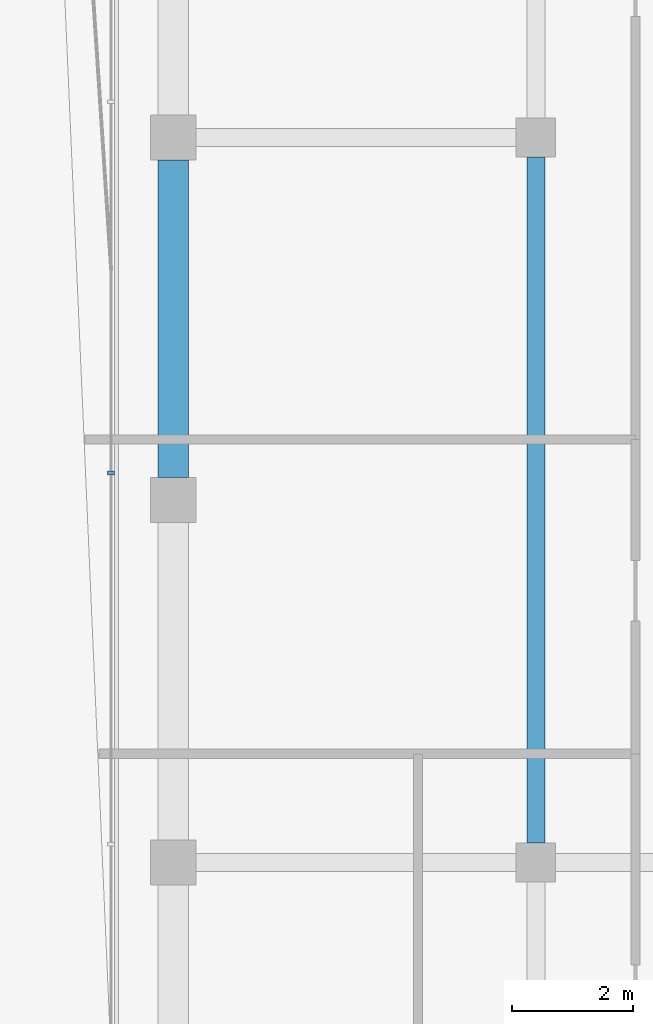
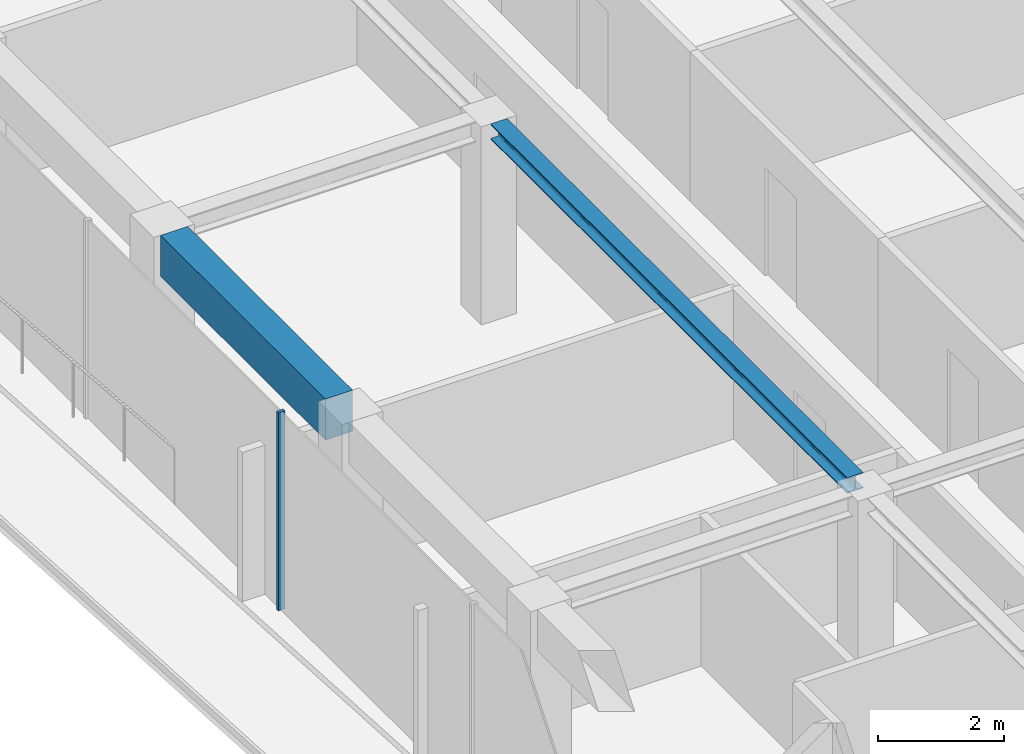
# One storey, part 8 of 20: 2 beams, 1 member, 1 element without a shape of its own.
"""IFC4 building model written with IfcOpenShell, lengths in metres."""

import ifcopenshell
import ifcopenshell.guid

model = None  # the IFC model being written
_history = None  # IfcOwnerHistory: only IFC2X3 demands one
_inside = {}  # id of a spatial element -> (the spatial element, [elements in it])
_under = {}  # id of a project, library or spatial element -> (it, [spatial elements below it])
_declared = {}  # id of a project -> (the project, [libraries it declares])
_typed = {}  # id of a type object -> (the type object, [elements of that type])
_made_of = {}  # id of a material, layer set ... -> (it, [elements and type objects made of it])


def new_model(schema):
    """Start an empty IFC model of exactly this schema.

    Asked for "IFC4X3", IfcOpenShell would pick the latest addendum, in which some entities
    have other attributes; the version numbers below select the first issue.
    IFC2X3 requires an IfcOwnerHistory on every rooted entity: one is made here for all.
    """
    global model, _history
    if schema == "IFC4X3":
        model = ifcopenshell.file(schema_version=(4, 3, 0, 0))
    else:
        model = ifcopenshell.file(schema=schema)
    _inside.clear()
    _under.clear()
    _declared.clear()
    _typed.clear()
    _made_of.clear()
    _history = None
    if model.schema == "IFC2X3":
        org = make("IfcOrganization", Name="unknown")
        user = make(
            "IfcPersonAndOrganization",
            ThePerson=make("IfcPerson", FamilyName="unknown"),
            TheOrganization=org,
        )
        app = make(
            "IfcApplication",
            ApplicationDeveloper=org,
            Version="unknown",
            ApplicationFullName="unknown",
            ApplicationIdentifier="unknown",
        )
        _history = make(
            "IfcOwnerHistory",
            OwningUser=user,
            OwningApplication=app,
            ChangeAction="ADDED",
            CreationDate=0,
        )
    return model


def make(cls, **values):
    """One entity of the class cls with the attributes given. An attribute that is None is left unset."""
    return model.create_entity(
        cls, **{name: value for name, value in values.items() if value is not None}
    )


def rooted(cls, **values):
    """An entity with a GlobalId (a new one), such as an element, a storey or a relation."""
    return make(cls, GlobalId=ifcopenshell.guid.new(), OwnerHistory=_history, **values)


def si_unit(unit_type, name, prefix=None):
    """IfcSIUnit, for example si_unit("LENGTHUNIT", "METRE", prefix="MILLI")."""
    return make("IfcSIUnit", UnitType=unit_type, Prefix=prefix, Name=name)


def assignment(units):
    """IfcUnitAssignment: the units of a project."""
    return None if units is None else make("IfcUnitAssignment", Units=units)


def point(xyz):
    """IfcCartesianPoint."""
    return None if xyz is None else make("IfcCartesianPoint", Coordinates=xyz)


def direction(xyz):
    """IfcDirection."""
    return None if xyz is None else make("IfcDirection", DirectionRatios=xyz)


def frame(location, z_axis=None, x_axis=None):
    """IfcAxis2Placement3D, a coordinate frame: its origin and axes. An axis left out is left unset."""
    return make(
        "IfcAxis2Placement3D",
        Location=point(location),
        Axis=direction(z_axis),
        RefDirection=direction(x_axis),
    )


def frame_2d(location, x_axis=None):
    """IfcAxis2Placement2D, a coordinate frame in the plane: its origin and x axis."""
    return make(
        "IfcAxis2Placement2D", Location=point(location), RefDirection=direction(x_axis)
    )


def origin():
    """The frame at (0, 0, 0) with its axes left unset."""
    return frame((0.0, 0.0, 0.0))


def origin_2d():
    """The frame at (0, 0) in the plane with its x axis left unset."""
    return frame_2d((0.0, 0.0))


def place(relative_to, where):
    """IfcLocalPlacement: puts the frame where relative to a parent placement (None: the world)."""
    return make(
        "IfcLocalPlacement", PlacementRelTo=relative_to, RelativePlacement=where
    )


def context(
    kind, dimensions, precision=None, world=None, true_north=None, identifier=None
):
    """IfcGeometricRepresentationContext, for example the 3D "Model" context."""
    return make(
        "IfcGeometricRepresentationContext",
        ContextIdentifier=identifier,
        ContextType=kind,
        CoordinateSpaceDimension=dimensions,
        Precision=precision,
        WorldCoordinateSystem=world,
        TrueNorth=true_north,
    )


def subcontext(parent, identifier, kind, view, scale=None):
    """IfcGeometricRepresentationSubContext, for example "Body" below "Model"."""
    return make(
        "IfcGeometricRepresentationSubContext",
        ContextIdentifier=identifier,
        ContextType=kind,
        ParentContext=parent,
        TargetScale=scale,
        TargetView=view,
    )


def project(units=None, contexts=None):
    """IfcProject with its units and contexts."""
    return rooted(
        "IfcProject",
        Name="project",
        RepresentationContexts=contexts,
        UnitsInContext=assignment(units),
    )


def spatial(cls, under=None, at=None, **own):
    """A site, building, storey or space (cls), placed at a placement, below another one or the project."""
    s = rooted(cls, ObjectPlacement=at, **own)
    if under is not None:
        _under.setdefault(under.id(), (under, []))[1].append(s)
    return s


def profile(cls, at=None, kind="AREA", **sizes):
    """A parametric profile (cls). Its sizes go by their IFC names, for example OverallWidth=200.0."""
    return make(cls, ProfileType=kind, Position=at, **sizes)


def rectangle(**sizes):
    """IfcRectangleProfileDef."""
    return profile("IfcRectangleProfileDef", **sizes)


def i_section(**sizes):
    """IfcIShapeProfileDef."""
    return profile("IfcIShapeProfileDef", **sizes)


def extrude(swept, where, along, depth):
    """IfcExtrudedAreaSolid: the profile swept, set in the frame where, extruded along a direction by depth."""
    return make(
        "IfcExtrudedAreaSolid",
        SweptArea=swept,
        Position=where,
        ExtrudedDirection=direction(along),
        Depth=depth,
    )


def shape(context_of_items, identifier, shape_type, items):
    """IfcShapeRepresentation: the items that make up one representation, for example the "Body"."""
    return make(
        "IfcShapeRepresentation",
        ContextOfItems=context_of_items,
        RepresentationIdentifier=identifier,
        RepresentationType=shape_type,
        Items=items,
    )


def material(Name=None, Category=None):
    """IfcMaterial."""
    return make("IfcMaterial", Name=Name, Category=Category)


def layer(
    of_material, thickness, ventilated=None, Name=None, Category=None, Priority=None
):
    """IfcMaterialLayer: one layer of a wall or slab, of a material (None: an air gap)."""
    return make(
        "IfcMaterialLayer",
        Material=of_material,
        LayerThickness=thickness,
        IsVentilated=ventilated,
        Name=Name,
        Category=Category,
        Priority=Priority,
    )


def layer_set(layers, Name=None):
    """IfcMaterialLayerSet."""
    return make("IfcMaterialLayerSet", MaterialLayers=layers, LayerSetName=Name)


def material_profile(
    of_material, cross_section, Name=None, Category=None, Priority=None
):
    """IfcMaterialProfile: a cross section and its material."""
    return make(
        "IfcMaterialProfile",
        Name=Name,
        Material=of_material,
        Profile=cross_section,
        Priority=Priority,
        Category=Category,
    )


def profile_set(profiles, Name=None, composite=None):
    """IfcMaterialProfileSet."""
    return make(
        "IfcMaterialProfileSet",
        Name=Name,
        MaterialProfiles=profiles,
        CompositeProfile=composite,
    )


def made_of(thing, what):
    """Note that an element or type object is made of a material, layer set ...; save() writes the relation."""
    if what is not None:
        _made_of.setdefault(what.id(), (what, []))[1].append(thing)
    return thing


def type_object(cls, material=None, **own):
    """A type object (cls), such as IfcWallType, which elements share."""
    return made_of(rooted(cls, **own), material)


def element(
    cls,
    number,
    at=None,
    inside=None,
    cuts=None,
    type_object=None,
    material=None,
    context=None,
    identifier="Body",
    shape_type=None,
    held_by="IfcProductDefinitionShape",
    body=None,
    shapes=None,
    **own,
):
    """One element of the class cls, such as IfcWall. Its Tag is "e" and its number.

    at: its placement. inside: the storey or other place that contains it. cuts: it is an
    opening in that element (IfcRelVoidsElement). A single representation is given by context,
    identifier, shape_type and body (its items); several are given by shapes. held_by: the class
    of the entity that holds the representations. save() writes the other relations.
    """
    e = rooted(cls, Tag="e%d" % number, ObjectPlacement=at, **own)
    if body is not None:
        shapes = [shape(context, identifier, shape_type, body)]
    if shapes is not None:
        e.Representation = make(held_by, Representations=shapes)
    if inside is not None:
        _inside.setdefault(inside.id(), (inside, []))[1].append(e)
    if cuts is not None:
        rooted(
            "IfcRelVoidsElement", RelatingBuildingElement=cuts, RelatedOpeningElement=e
        )
    if type_object is not None:
        _typed.setdefault(type_object.id(), (type_object, []))[1].append(e)
    return made_of(e, material)


def aggregate(whole, parts):
    """IfcRelAggregates: a whole, such as a stair, and the parts it consists of."""
    return rooted("IfcRelAggregates", RelatingObject=whole, RelatedObjects=parts)


def save(model, path):
    """Write the relations noted so far, then the file.

    IfcRelAggregates (storeys below a building ...), IfcRelContainedInSpatialStructure (elements
    in a storey), IfcRelDefinesByType, IfcRelAssociatesMaterial and IfcRelDeclares: one each for
    every whole, place, type object, material and project.
    """
    for whole, parts in _under.values():
        aggregate(whole, parts)
    for where, things in _inside.values():
        rooted(
            "IfcRelContainedInSpatialStructure",
            RelatedElements=things,
            RelatingStructure=where,
        )
    for kind, things in _typed.values():
        rooted("IfcRelDefinesByType", RelatedObjects=things, RelatingType=kind)
    for what, things in _made_of.values():
        rooted("IfcRelAssociatesMaterial", RelatedObjects=things, RelatingMaterial=what)
    for by, libraries in _declared.values():
        rooted("IfcRelDeclares", RelatingContext=by, RelatedDefinitions=libraries)
    model.write(path)


model = new_model("IFC4")

# Units and contexts
model_context = context("Model", 3, precision=1e-05, world=origin(), true_north=direction((0.0, 1.0)))
body_context = subcontext(model_context, "Body", "Model", "MODEL_VIEW")
ifc_project = project(units=[si_unit("LENGTHUNIT", "METRE"), si_unit("AREAUNIT", "SQUARE_METRE"), si_unit("VOLUMEUNIT", "CUBIC_METRE"), si_unit("PLANEANGLEUNIT", "RADIAN"), si_unit("MASSUNIT", "GRAM", prefix="KILO")], contexts=[model_context])

# Site, building, storey
site_placement = place(None, origin())
site = spatial("IfcSite", under=ifc_project, at=site_placement, CompositionType="ELEMENT")
building_placement = place(site_placement, origin())
building = spatial("IfcBuilding", under=site, at=building_placement, Name="Welwitschia Terrace Campus", CompositionType="ELEMENT")
storey_placement = place(building_placement, frame((0.0, 0.0, 297.800048828125)))
storey = spatial("IfcBuildingStorey", under=building, at=storey_placement, Name="L66", CompositionType="ELEMENT", Elevation=297.800048828125)

# Beam
ifc_material_1 = material(Name="Steel S355", Category="steel")
ifc_material_profile_1 = material_profile(ifc_material_1, i_section(OverallWidth=0.300048828125, OverallDepth=0.300048828125, WebThickness=0.010986328125, FlangeThickness=0.01904296875, FilletRadius=0.027099609375, at=origin_2d()))
ifc_profile_set_1 = profile_set([ifc_material_profile_1], Name="Steel S355")
beam_type_1 = type_object("IfcBeamType", Name="Interior girder HE 300 B", PredefinedType="BEAM", material=ifc_profile_set_1)
beam_1_placement = place(storey_placement, frame((6.0, 32.325439453125, 3.699951171875), z_axis=(0.0, 1.0, 0.0), x_axis=(-1.0, 0.0, 0.0)))
element("IfcBeam", 1, at=beam_1_placement, inside=storey, type_object=beam_type_1, Name="Girder GB6", PredefinedType="BEAM", context=body_context, shape_type="SweptSolid", body=[
    extrude(i_section(OverallWidth=0.300048828125, OverallDepth=0.300048828125, WebThickness=0.010986328125, FlangeThickness=0.01904296875, FilletRadius=0.027099609375, at=origin_2d()), origin(), (0.0, 0.0, 1.0), 11.34912109375),
])

# Curtain wall, member
ifc_material_2 = material(Name="Bronze anodised aluminium", Category="aluminium")
ifc_layer = layer(ifc_material_2, 0.1201171875)
ifc_layer_set = layer_set([ifc_layer], Name="Bronze anodised aluminium")
curtain_wall_type = type_object("IfcCurtainWallType", Name="Curtain wall CW2 tower 6000", PredefinedType="NOTDEFINED", material=ifc_layer_set)
curtain_wall_placement = place(storey_placement, origin())
curtain_wall = element("IfcCurtainWall", 2, at=curtain_wall_placement, inside=storey, type_object=curtain_wall_type, Name="CW L66.9.0", PredefinedType="NOTDEFINED")
ifc_material_3 = material(Name="Bronze anodised aluminium", Category="aluminium")
ifc_material_profile_2 = material_profile(ifc_material_3, rectangle(XDim=0.1201171875, YDim=0.06005859375, at=origin_2d()))
ifc_profile_set_2 = profile_set([ifc_material_profile_2], Name="Bronze anodised aluminium")
member_type = type_object("IfcMemberType", Name="Mullion 60x120", PredefinedType="MULLION", material=ifc_profile_set_2)
member_placement = place(storey_placement, frame((-1.030029296875, 38.447265625, 0.0), z_axis=(0.0, 0.0, 1.0), x_axis=(1.0, 0.0, 0.0)))
member = element("IfcMember", 3, at=member_placement, type_object=member_type, Name="Mullion L66.9.0.4", PredefinedType="MULLION", context=body_context, shape_type="SweptSolid", body=[
    extrude(rectangle(XDim=0.1201171875, YDim=0.06005859375, at=origin_2d()), origin(), (0.0, 0.0, 1.0), 3.849853515625),
])
aggregate(curtain_wall, [member])

# Beam
ifc_material_4 = material(Name="Concrete C50/60", Category="concrete")
ifc_material_profile_3 = material_profile(ifc_material_4, rectangle(XDim=0.5, YDim=0.800048828125, at=origin_2d()))
ifc_profile_set_3 = profile_set([ifc_material_profile_3], Name="Concrete C50/60")
beam_type_2 = type_object("IfcBeamType", Name="Ring spandrel 500x800", PredefinedType="SPANDREL", material=ifc_profile_set_3)
beam_2_placement = place(storey_placement, frame((0.0, 43.62451171875, 3.449951171875), z_axis=(0.0, -1.0, 0.0), x_axis=(1.0, 0.0, 0.0)))
element("IfcBeam", 4, at=beam_2_placement, inside=storey, type_object=beam_type_2, Name="Spandrel SP4", PredefinedType="SPANDREL", context=body_context, shape_type="SweptSolid", body=[
    extrude(rectangle(XDim=0.5, YDim=0.800048828125, at=origin_2d()), origin(), (0.0, 0.0, 1.0), 5.2490234375),
])

save(model, "model.ifc")
